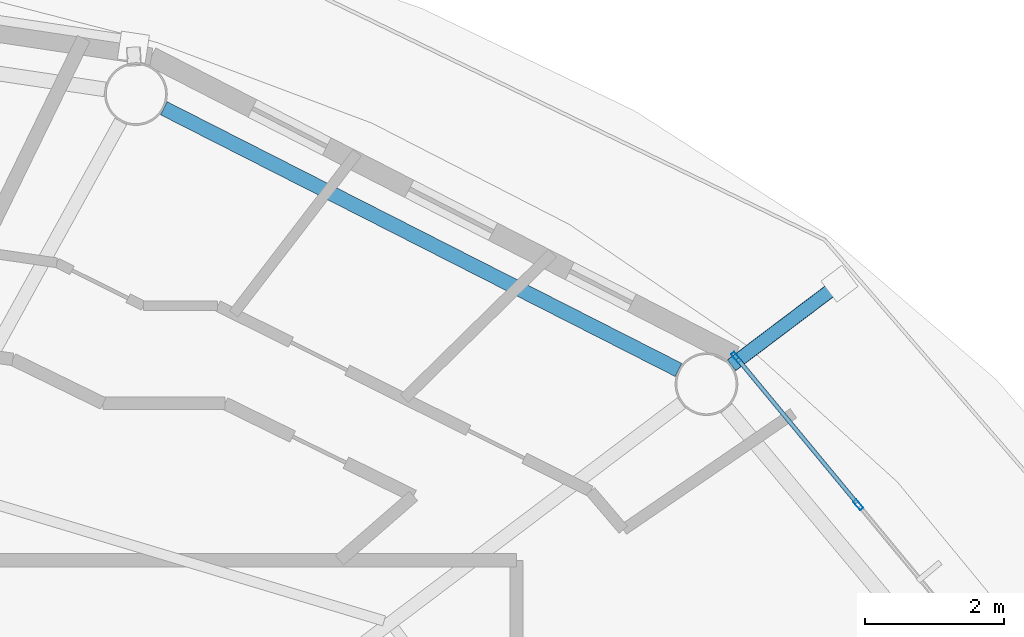
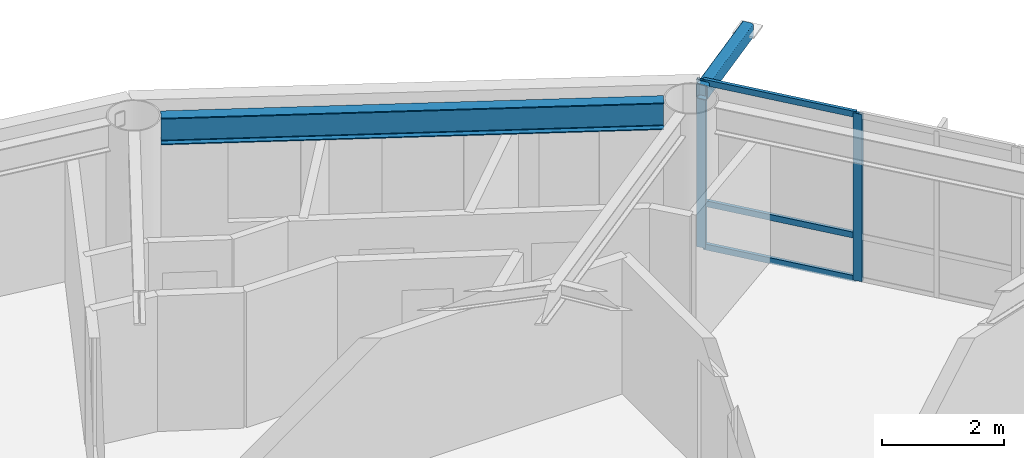
# One storey, part 11 of 23: 6 members, 1 beam, 1 element without a shape of its own.
"""IFC4 building model written with IfcOpenShell, lengths in metres."""

from ifc_helpers import new_model, si_unit, direction, frame, origin, origin_2d, place, context, subcontext, project, spatial, hollow_rectangle, i_section, extrude, material, layer, layer_set, material_profile, profile_set, type_object, element, aggregate, save


model = new_model("IFC4")

# Units and contexts
model_context = context("Model", 3, precision=1e-05, world=origin(), true_north=direction((0.0, 1.0)))
body_context = subcontext(model_context, "Body", "Model", "MODEL_VIEW")
ifc_project = project(units=[si_unit("LENGTHUNIT", "METRE"), si_unit("AREAUNIT", "SQUARE_METRE"), si_unit("VOLUMEUNIT", "CUBIC_METRE"), si_unit("PLANEANGLEUNIT", "RADIAN"), si_unit("MASSUNIT", "GRAM", prefix="KILO")], contexts=[model_context])

# Site, building, storey
site_placement = place(None, origin())
site = spatial("IfcSite", under=ifc_project, at=site_placement, CompositionType="ELEMENT")
building_placement = place(site_placement, origin())
building = spatial("IfcBuilding", under=site, at=building_placement, Name="Sarneth Arch Tower", CompositionType="ELEMENT")
storey_placement = place(building_placement, frame((0.0, 0.0, 224.39990234375)))
storey = spatial("IfcBuildingStorey", under=building, at=storey_placement, Name="L57", CompositionType="ELEMENT", Elevation=224.39990234375)

# Beam
ifc_material_1 = material(Name="Steel S355", Category="steel")
ifc_material_profile_1 = material_profile(ifc_material_1, i_section(OverallWidth=0.2109375, OverallDepth=0.5390625, WebThickness=0.01171875, FlangeThickness=0.018798828125, FilletRadius=0.01806640625, at=origin_2d()), Name="W530x109")
ifc_profile_set_1 = profile_set([ifc_material_profile_1], Name="Steel S355")
beam_type = type_object("IfcBeamType", Name="BM-RAD-530B", PredefinedType="BEAM", material=ifc_profile_set_1)
beam_placement = place(storey_placement, frame((65.57421875, 55.780517578125, 3.090576171875), z_axis=(-0.891376248079, 0.453264144138, 0.0), x_axis=(-0.453264144138, -0.891376248079, 0.0)))
element("IfcBeam", 1, at=beam_placement, inside=storey, type_object=beam_type, Name="L57 Perimeter spandrel beam 03", PredefinedType="BEAM", context=body_context, shape_type="SweptSolid", body=[
    extrude(i_section(OverallWidth=0.2109375, OverallDepth=0.5390625, WebThickness=0.01171875, FlangeThickness=0.018798828125, FilletRadius=0.01806640625, at=origin_2d()), origin(), (0.0, 0.0, 1.0), 8.281982421875),
])

# Curtain wall, members
ifc_material_2 = material(Name="Anodised aluminium Type AA25 and solar-control low-e laminated IGU", Category="aluminium")
ifc_layer = layer(ifc_material_2, 0.179931640625)
ifc_layer_set = layer_set([ifc_layer], Name="Anodised aluminium Type AA25 and solar-control low-e laminated IGU")
curtain_wall_type = type_object("IfcCurtainWallType", Name="CW-RES-HIGH", PredefinedType="NOTDEFINED", material=ifc_layer_set)
curtain_wall_placement = place(storey_placement, origin())
curtain_wall = element("IfcCurtainWall", 2, at=curtain_wall_placement, inside=storey, type_object=curtain_wall_type, Name="L57 Unitised curtain wall facet 02", PredefinedType="NOTDEFINED")
ifc_material_3 = material(Name="Anodised Aluminium 6063-T6", Category="aluminium")
ifc_material_profile_2 = material_profile(ifc_material_3, hollow_rectangle(XDim=0.06005859375, YDim=0.159912109375, WallThickness=0.00390625, at=origin_2d()), Name="AL-MULL-160x60x4")
ifc_profile_set_2 = profile_set([ifc_material_profile_2], Name="Anodised Aluminium 6063-T6")
member_type_1 = type_object("IfcMemberType", Name="CW-MULLION", PredefinedType="MULLION", material=ifc_profile_set_2)
member_1_placement = place(storey_placement, frame((68.15283203125, 53.84765625, 0.0), z_axis=(0.0, 0.0, 1.0), x_axis=(-0.770359245933, -0.637610094184, 0.0)))
member_1 = element("IfcMember", 3, at=member_1_placement, type_object=member_type_1, Name="CW-SYS-6 mullion 3", PredefinedType="MULLION", context=body_context, shape_type="SweptSolid", body=[
    extrude(hollow_rectangle(XDim=0.06005859375, YDim=0.159912109375, WallThickness=0.00390625, at=origin_2d()), origin(), (0.0, 0.0, 1.0), 3.360107421875),
])
member_2_placement = place(storey_placement, frame((66.401611328125, 55.96337890625, 0.0), z_axis=(0.0, 0.0, 1.0), x_axis=(-0.770359245933, -0.637610094184, 0.0)))
member_2 = element("IfcMember", 4, at=member_2_placement, type_object=member_type_1, Name="CW-SYS-6 mullion 4", PredefinedType="MULLION", context=body_context, shape_type="SweptSolid", body=[
    extrude(hollow_rectangle(XDim=0.06005859375, YDim=0.159912109375, WallThickness=0.00390625, at=origin_2d()), origin(), (0.0, 0.0, 1.0), 3.360107421875),
])
ifc_material_4 = material(Name="Anodised Aluminium 6063-T6", Category="aluminium")
ifc_material_profile_3 = material_profile(ifc_material_4, hollow_rectangle(XDim=0.06005859375, YDim=0.1201171875, WallThickness=0.00390625, at=origin_2d()), Name="AL-TRAN-120x60x4")
ifc_profile_set_3 = profile_set([ifc_material_profile_3], Name="Anodised Aluminium 6063-T6")
member_type_2 = type_object("IfcMemberType", Name="CW-TRANSOM", PredefinedType="USERDEFINED", material=ifc_profile_set_3)
member_3_placement = place(storey_placement, frame((68.1337890625, 53.87060546875, 0.030029296875), z_axis=(-0.637606765719, 0.770362000821, 0.0), x_axis=(-0.770362000821, -0.637606765719, 0.0)))
member_3 = element("IfcMember", 5, at=member_3_placement, type_object=member_type_2, Name="CW-SYS-6 transom 3.1", ObjectType="TRANSOM", PredefinedType="USERDEFINED", context=body_context, shape_type="SweptSolid", body=[
    extrude(hollow_rectangle(XDim=0.06005859375, YDim=0.1201171875, WallThickness=0.00390625, at=origin_2d()), origin(), (0.0, 0.0, 1.0), 2.686767578125),
])
member_4_placement = place(storey_placement, frame((68.1337890625, 53.87060546875, 0.900146484375), z_axis=(-0.637606765719, 0.770362000821, 0.0), x_axis=(-0.770362000821, -0.637606765719, 0.0)))
member_4 = element("IfcMember", 6, at=member_4_placement, type_object=member_type_2, Name="CW-SYS-6 transom 3.2", ObjectType="TRANSOM", PredefinedType="USERDEFINED", context=body_context, shape_type="SweptSolid", body=[
    extrude(hollow_rectangle(XDim=0.06005859375, YDim=0.1201171875, WallThickness=0.00390625, at=origin_2d()), origin(), (0.0, 0.0, 1.0), 2.686767578125),
])
member_5_placement = place(storey_placement, frame((68.1337890625, 53.87060546875, 3.330078125), z_axis=(-0.637606765719, 0.770362000821, 0.0), x_axis=(-0.770362000821, -0.637606765719, 0.0)))
member_5 = element("IfcMember", 7, at=member_5_placement, type_object=member_type_2, Name="CW-SYS-6 transom 3.3", ObjectType="TRANSOM", PredefinedType="USERDEFINED", context=body_context, shape_type="SweptSolid", body=[
    extrude(hollow_rectangle(XDim=0.06005859375, YDim=0.1201171875, WallThickness=0.00390625, at=origin_2d()), origin(), (0.0, 0.0, 1.0), 2.686767578125),
])
aggregate(curtain_wall, [member_1, member_2, member_3, member_4, member_5])

# Member
ifc_material_5 = material(Name="Steel S355", Category="steel")
ifc_material_profile_4 = material_profile(ifc_material_5, hollow_rectangle(XDim=0.199951171875, YDim=0.300048828125, WallThickness=0.012451171875, InnerFilletRadius=0.018798828125, OuterFilletRadius=0.03125, at=origin_2d()), Name="RHS300x200x12.5")
ifc_profile_set_4 = profile_set([ifc_material_profile_4], Name="Steel S355")
member_type_3 = type_object("IfcMemberType", Name="MEM-CANT-STRUT", PredefinedType="STRUT", material=ifc_profile_set_4)
member_6_placement = place(storey_placement, frame((66.334228515625, 55.84765625, 3.2001953125), z_axis=(0.797973488616, 0.602692551361, 0.0), x_axis=(-0.602692551361, 0.797973488616, 0.0)))
element("IfcMember", 8, at=member_6_placement, inside=storey, type_object=member_type_3, Name="L57 Balcony cantilever bracket 03", PredefinedType="STRUT", context=body_context, shape_type="SweptSolid", body=[
    extrude(hollow_rectangle(XDim=0.199951171875, YDim=0.300048828125, WallThickness=0.012451171875, InnerFilletRadius=0.018798828125, OuterFilletRadius=0.03125, at=origin_2d()), origin(), (0.0, 0.0, 1.0), 1.941650390625),
])

save(model, "model.ifc")
